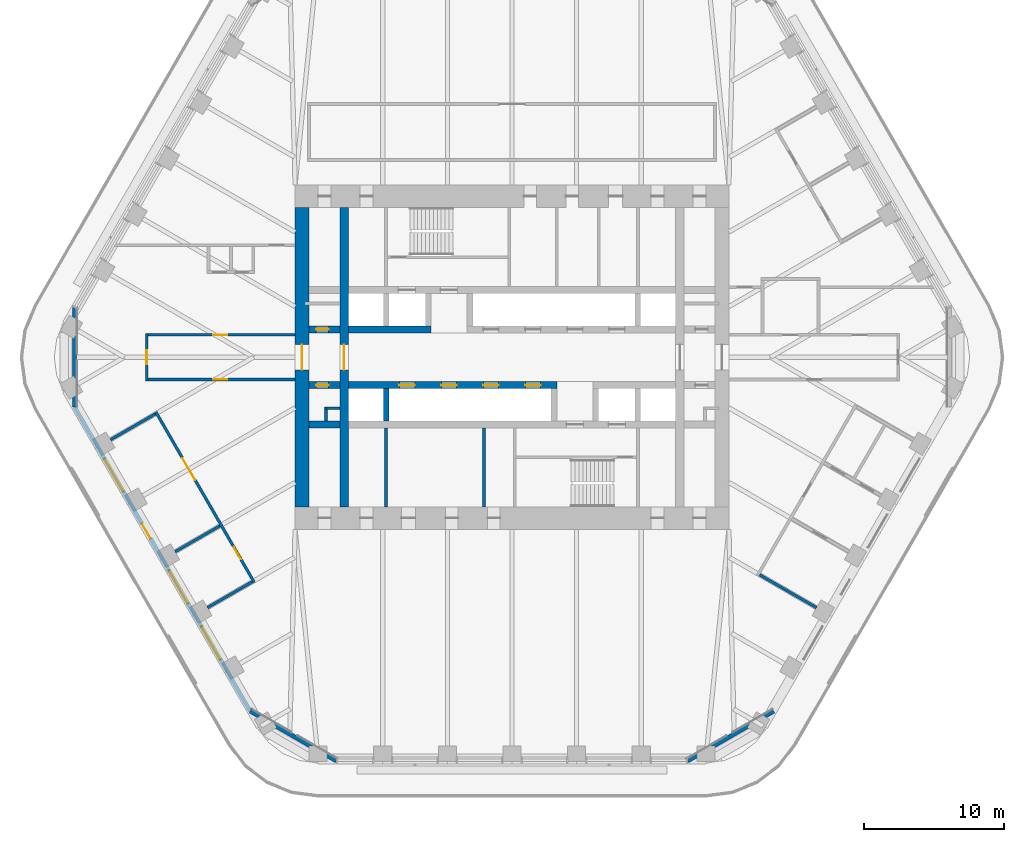
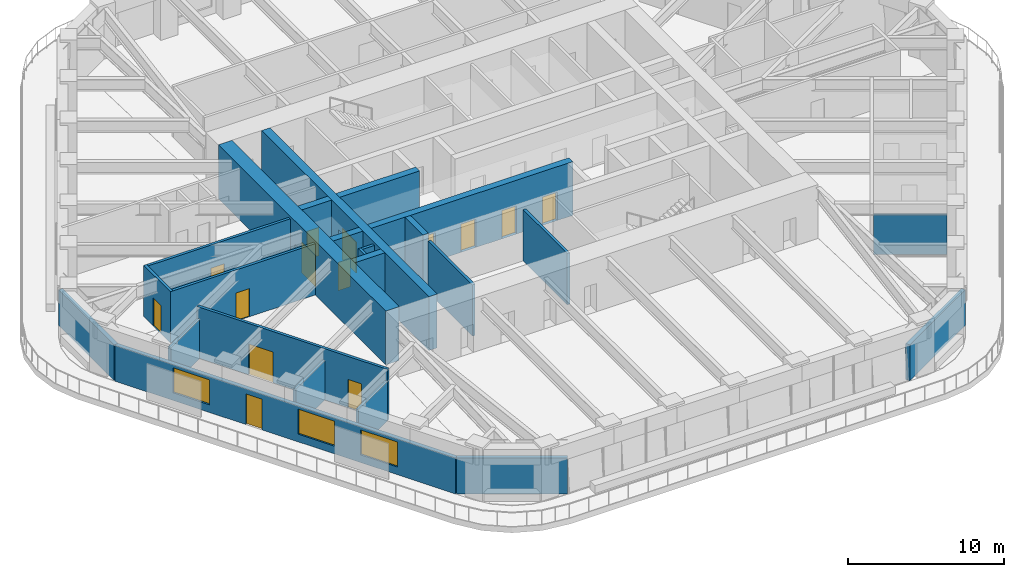
# One storey, part 14 of 20: 24 walls, 14 doors, 3 windows, 17 openings.
"""IFC4 building model written with IfcOpenShell, lengths in metres."""

from ifc_helpers import new_model, si_unit, direction, frame, frame_2d, origin, place, context, subcontext, project, spatial, rectangle, extrude, material, layer, layer_set, type_object, element, fill, save


model = new_model("IFC4")

# Units and contexts
model_context = context("Model", 3, precision=1e-05, world=origin(), true_north=direction((0.0, 1.0)))
body_context = subcontext(model_context, "Body", "Model", "MODEL_VIEW")
ifc_project = project(units=[si_unit("LENGTHUNIT", "METRE"), si_unit("AREAUNIT", "SQUARE_METRE"), si_unit("VOLUMEUNIT", "CUBIC_METRE"), si_unit("PLANEANGLEUNIT", "RADIAN"), si_unit("MASSUNIT", "GRAM", prefix="KILO")], contexts=[model_context])

# Site, building, storey
site_placement = place(None, origin())
site = spatial("IfcSite", under=ifc_project, at=site_placement, CompositionType="ELEMENT")
building_placement = place(site_placement, origin())
building = spatial("IfcBuilding", under=site, at=building_placement, Name="Tarfa Lantern Tower", CompositionType="ELEMENT")
storey_placement = place(building_placement, frame((0.0, 0.0, 253.300048828125)))
storey = spatial("IfcBuildingStorey", under=building, at=storey_placement, Name="L57", CompositionType="ELEMENT", Elevation=253.300048828125)

# Walls
ifc_material_1 = material(Name="Limestone cladding on blockwork", Category="masonry")
ifc_layer_1 = layer(ifc_material_1, 0.300048828125)
ifc_layer_set_1 = layer_set([ifc_layer_1], Name="EW1 STONE-CLAD WALL 300")
wall_type_1 = type_object("IfcWallType", Name="EW1 STONE-CLAD WALL 300", PredefinedType="SOLIDWALL", material=ifc_layer_set_1)
wall_1_placement = place(storey_placement, frame((-31.262939453125, 3.55078125, 0.0), z_axis=(0.0, 0.0, 1.0), x_axis=(0.0, -1.0, 0.0)))
element("IfcWall", 1, at=wall_1_placement, inside=storey, type_object=wall_type_1, Name="Garden wall NW-SW", PredefinedType="SOLIDWALL", context=body_context, shape_type="SweptSolid", body=[
    extrude(rectangle(XDim=7.1015625, YDim=0.300048828125, at=frame_2d((3.55078125, 0.0))), origin(), (0.0, 0.0, 1.0), 2.800048828125),
])
for number, where, z_axis, x_axis, name in (
    (2, (-18.70654296875, -25.299072265625, 0.0), (0.0, 0.0, 1.0), (0.866010973379, -0.500024993363, 0.0), "Garden wall SW-S"),
    (3, (12.556396484375, -28.85009765625, 0.0), (0.0, 0.0, 1.0), (0.866010973379, 0.500024993363, 0.0), "Garden wall S-SE"),
):
    element("IfcWall", number, at=place(storey_placement, frame(where, z_axis=z_axis, x_axis=x_axis)), inside=storey, type_object=wall_type_1, Name=name, PredefinedType="SOLIDWALL", context=body_context, shape_type="SweptSolid", body=[
        extrude(rectangle(XDim=7.101806640625, YDim=0.300048828125, at=frame_2d((3.55078125, 0.0))), origin(), (0.0, 0.0, 1.0), 2.800048828125),
    ])

# Wall, openings, door, windows
wall_2_placement = place(storey_placement, frame((-31.262939453125, -3.55078125, 0.0), z_axis=(0.0, 0.0, 1.0), x_axis=(0.500000442367, -0.866025148383, 0.0)))
wall_2 = element("IfcWall", 4, at=wall_2_placement, inside=storey, type_object=wall_type_1, Name="Stone wall SW", PredefinedType="SOLIDWALL", context=body_context, shape_type="SweptSolid", body=[
    extrude(rectangle(XDim=25.11279296875, YDim=0.300048828125, at=frame_2d((12.556396484375, 0.0))), origin(), (0.0, 0.0, 1.0), 2.800048828125),
])
opening_1_placement = place(wall_2_placement, frame((4.2783203125, 0.0, 0.60009765625)))
opening_1 = element("IfcOpeningElement", 5, at=opening_1_placement, cuts=wall_2, Name="Opening W14", PredefinedType="OPENING", context=body_context, shape_type="SweptSolid", body=[
    extrude(rectangle(XDim=2.699951171875, YDim=1.949951171875, at=frame_2d((1.35009765625, 0.97509765625))), frame((0.0, 0.159912109375, 0.0), z_axis=(0.0, -1.0, 0.0), x_axis=(1.0, 0.0, 0.0)), (0.0, 0.0, 1.0), 0.320068359375),
])
opening_2_placement = place(wall_2_placement, frame((9.64697265625, 0.0, 0.0)))
opening_2 = element("IfcOpeningElement", 6, at=opening_2_placement, cuts=wall_2, Name="Opening D49", PredefinedType="OPENING", context=body_context, shape_type="SweptSolid", body=[
    extrude(rectangle(XDim=1.199951171875, YDim=2.39990234375, at=frame_2d((0.60009765625, 1.199951171875))), frame((0.0, 0.159912109375, 0.0), z_axis=(0.0, -1.0, 0.0), x_axis=(1.0, 0.0, 0.0)), (0.0, 0.0, 1.0), 0.320068359375),
])
opening_3_placement = place(wall_2_placement, frame((13.515869140625, 0.0, 0.60009765625)))
opening_3 = element("IfcOpeningElement", 7, at=opening_3_placement, cuts=wall_2, Name="Opening W14", PredefinedType="OPENING", context=body_context, shape_type="SweptSolid", body=[
    extrude(rectangle(XDim=2.699951171875, YDim=1.949951171875, at=frame_2d((1.35009765625, 0.97509765625))), frame((0.0, 0.159912109375, 0.0), z_axis=(0.0, -1.0, 0.0), x_axis=(1.0, 0.0, 0.0)), (0.0, 0.0, 1.0), 0.320068359375),
])
opening_4_placement = place(wall_2_placement, frame((18.134521484375, 0.0, 0.60009765625)))
opening_4 = element("IfcOpeningElement", 8, at=opening_4_placement, cuts=wall_2, Name="Opening W14", PredefinedType="OPENING", context=body_context, shape_type="SweptSolid", body=[
    extrude(rectangle(XDim=2.699951171875, YDim=1.949951171875, at=frame_2d((1.35009765625, 0.97509765625))), frame((0.0, 0.159912109375, 0.0), z_axis=(0.0, -1.0, 0.0), x_axis=(1.0, 0.0, 0.0)), (0.0, 0.0, 1.0), 0.320068359375),
])
ifc_material_2 = material(Name="Aluminium framed glazed door", Category="aluminium")
door_type_1 = type_object("IfcDoorType", Name="BE3 BALCONY DOOR 1200x2400", OperationType="SINGLE_SWING_RIGHT", PredefinedType="DOOR", material=ifc_material_2)
door_1_placement = place(opening_2_placement, origin())
door_1 = element("IfcDoor", 9, at=door_1_placement, inside=storey, type_object=door_type_1, Name="Balcony door SW", OperationType="SINGLE_SWING_RIGHT", OverallHeight=2.39990234375, OverallWidth=1.199951171875, PredefinedType="DOOR", context=body_context, shape_type="SweptSolid", body=[
    extrude(rectangle(XDim=1.199951171875, YDim=2.39990234375, at=frame_2d((0.60009765625, 1.199951171875))), frame((0.0, 0.02490234375, 0.0), z_axis=(0.0, -1.0, 0.0), x_axis=(1.0, 0.0, 0.0)), (0.0, 0.0, 1.0), 0.050048828125),
])
fill(opening_2, door_1)
ifc_material_3 = material(Name="Aluminium frame, double glazed", Category="aluminium")
window_type = type_object("IfcWindowType", Name="W14 FULL-HEIGHT GLAZING 2700x1950", PartitioningType="SINGLE_PANEL", PredefinedType="WINDOW", material=ifc_material_3)
window_1_placement = place(opening_1_placement, origin())
window_1 = element("IfcWindow", 10, at=window_1_placement, inside=storey, type_object=window_type, Name="Window SW 2", OverallHeight=1.949951171875, OverallWidth=2.699951171875, PartitioningType="SINGLE_PANEL", PredefinedType="WINDOW", context=body_context, shape_type="SweptSolid", body=[
    extrude(rectangle(XDim=2.699951171875, YDim=1.949951171875, at=frame_2d((1.35009765625, 0.97509765625))), frame((0.0, 0.030029296875, 0.0), z_axis=(0.0, -1.0, 0.0), x_axis=(1.0, 0.0, 0.0)), (0.0, 0.0, 1.0), 0.06005859375),
])
fill(opening_1, window_1)
window_2_placement = place(opening_3_placement, origin())
window_2 = element("IfcWindow", 11, at=window_2_placement, inside=storey, type_object=window_type, Name="Window SW 4", OverallHeight=1.949951171875, OverallWidth=2.699951171875, PartitioningType="SINGLE_PANEL", PredefinedType="WINDOW", context=body_context, shape_type="SweptSolid", body=[
    extrude(rectangle(XDim=2.699951171875, YDim=1.949951171875, at=frame_2d((1.35009765625, 0.97509765625))), frame((0.0, 0.030029296875, 0.0), z_axis=(0.0, -1.0, 0.0), x_axis=(1.0, 0.0, 0.0)), (0.0, 0.0, 1.0), 0.06005859375),
])
fill(opening_3, window_2)
window_3_placement = place(opening_4_placement, origin())
window_3 = element("IfcWindow", 12, at=window_3_placement, inside=storey, type_object=window_type, Name="Window SW 5", OverallHeight=1.949951171875, OverallWidth=2.699951171875, PartitioningType="SINGLE_PANEL", PredefinedType="WINDOW", context=body_context, shape_type="SweptSolid", body=[
    extrude(rectangle(XDim=2.699951171875, YDim=1.949951171875, at=frame_2d((1.35009765625, 0.97509765625))), frame((0.0, 0.030029296875, 0.0), z_axis=(0.0, -1.0, 0.0), x_axis=(1.0, 0.0, 0.0)), (0.0, 0.0, 1.0), 0.06005859375),
])
fill(opening_4, window_3)

# Walls
ifc_material_4 = material(Name="Concrete blockwork", Category="masonry")
ifc_layer_2 = layer(ifc_material_4, 0.199951171875)
ifc_layer_set_2 = layer_set([ifc_layer_2], Name="IW1 BLOCKWORK PARTITION 200 EI 120")
wall_type_2 = type_object("IfcWallType", Name="IW1 BLOCKWORK PARTITION 200 EI 120", PredefinedType="PARTITIONING", material=ifc_layer_set_2)
for number, where, z_axis, x_axis, name in (
    (13, (-9.0, -5.050048828125, 0.0), (0.0, 0.0, 1.0), (0.0, -1.0, 0.0), "Core partition"),
    (14, (-2.0, -5.050048828125, 0.0), (0.0, 0.0, 1.0), (0.0, -1.0, 0.0), "Core partition"),
):
    element("IfcWall", number, at=place(storey_placement, frame(where, z_axis=z_axis, x_axis=x_axis)), inside=storey, type_object=wall_type_2, Name=name, PredefinedType="PARTITIONING", context=body_context, shape_type="SweptSolid", body=[
        extrude(rectangle(XDim=5.64990234375, YDim=0.199951171875, at=frame_2d((2.824951171875, 0.0))), origin(), (0.0, 0.0, 1.0), 4.0),
    ])
for number, where, z_axis, x_axis, name in (
    (15, (-12.300048828125, -3.64990234375, 0.0), (0.0, 0.0, 1.0), (-1.0, 0.0, 0.0), "Core partition"),
    (16, (-13.300048828125, -3.550048828125, 0.0), (0.0, 0.0, 1.0), (0.0, -1.0, 0.0), "Core partition"),
):
    element("IfcWall", number, at=place(storey_placement, frame(where, z_axis=z_axis, x_axis=x_axis)), inside=storey, type_object=wall_type_2, Name=name, PredefinedType="PARTITIONING", context=body_context, shape_type="SweptSolid", body=[
        extrude(rectangle(XDim=1.0, YDim=0.199951171875, at=frame_2d((0.5, 0.0))), origin(), (0.0, 0.0, 1.0), 4.0),
    ])
ifc_material_5 = material(Name="Gypsum board on steel studs", Category="steel")
ifc_layer_3 = layer(ifc_material_5, 0.2099609375)
ifc_layer_set_3 = layer_set([ifc_layer_3], Name="IW2 ACOUSTIC PARTITION 200")
wall_type_3 = type_object("IfcWallType", Name="IW2 ACOUSTIC PARTITION 200", PredefinedType="PARTITIONING", material=ifc_layer_set_3)
wall_3_placement = place(storey_placement, frame((17.69580078125, -15.550048828125, 0.0), z_axis=(0.0, 0.0, 1.0), x_axis=(0.866038532462, -0.499977259774, 0.0)))
element("IfcWall", 17, at=wall_3_placement, inside=storey, type_object=wall_type_3, Name="Partition", PredefinedType="PARTITIONING", context=body_context, shape_type="SweptSolid", body=[
    extrude(rectangle(XDim=4.699951171875, YDim=0.199951171875, at=frame_2d((2.35009765625, 0.0))), origin(), (0.0, 0.0, 1.0), 3.08154296875),
])

# Wall, openings, doors
wall_4_placement = place(storey_placement, frame((-25.453369140625, -3.913330078125, 0.0), z_axis=(0.0, 0.0, 1.0), x_axis=(0.499989069193, -0.866031714597, 0.0)))
wall_4 = element("IfcWall", 18, at=wall_4_placement, inside=storey, type_object=wall_type_3, Name="Partition", PredefinedType="PARTITIONING", context=body_context, shape_type="SweptSolid", body=[
    extrude(rectangle(XDim=14.056396484375, YDim=0.199951171875, at=frame_2d((7.0283203125, 0.0))), origin(), (0.0, 0.0, 1.0), 4.0),
])
opening_5_placement = place(wall_4_placement, frame((3.81884765625, 0.0, 0.0)))
opening_5 = element("IfcOpeningElement", 19, at=opening_5_placement, cuts=wall_4, Name="Opening D34", PredefinedType="OPENING", context=body_context, shape_type="SweptSolid", body=[
    extrude(rectangle(XDim=1.800048828125, YDim=2.39990234375, at=frame_2d((0.89990234375, 1.199951171875))), frame((0.0, 0.10986328125, 0.0), z_axis=(0.0, -1.0, 0.0), x_axis=(1.0, 0.0, 0.0)), (0.0, 0.0, 1.0), 0.219970703125),
])
opening_6_placement = place(wall_4_placement, frame((11.14697265625, 0.0, 0.0)))
opening_6 = element("IfcOpeningElement", 20, at=opening_6_placement, cuts=wall_4, Name="Opening D35", PredefinedType="OPENING", context=body_context, shape_type="SweptSolid", body=[
    extrude(rectangle(XDim=1.0, YDim=2.199951171875, at=frame_2d((0.5, 1.10009765625))), frame((0.0, 0.10986328125, 0.0), z_axis=(0.0, -1.0, 0.0), x_axis=(1.0, 0.0, 0.0)), (0.0, 0.0, 1.0), 0.219970703125),
])
ifc_material_6 = material(Name="Timber door", Category="wood")
door_type_2 = type_object("IfcDoorType", Name="DR1 ROOM DOOR 1000x2200", OperationType="SINGLE_SWING_LEFT", PredefinedType="DOOR", material=ifc_material_6)
door_2_placement = place(opening_6_placement, frame((1.0, 0.0, 0.0), z_axis=(0.0, 0.0, 1.0), x_axis=(-1.0, 0.0, 0.0)))
door_2 = element("IfcDoor", 21, at=door_2_placement, inside=storey, type_object=door_type_2, Name="Store door", OperationType="SINGLE_SWING_RIGHT", OverallHeight=2.199951171875, OverallWidth=1.0, PredefinedType="DOOR", context=body_context, shape_type="SweptSolid", body=[
    extrude(rectangle(XDim=1.0, YDim=2.199951171875, at=frame_2d((0.5, 1.10009765625))), frame((0.0, 0.02490234375, 0.0), z_axis=(0.0, -1.0, 0.0), x_axis=(1.0, 0.0, 0.0)), (0.0, 0.0, 1.0), 0.050048828125),
])
fill(opening_6, door_2)
door_type_3 = type_object("IfcDoorType", Name="DR2 ROOM DOOR 1800x2400", OperationType="DOUBLE_DOOR_SINGLE_SWING", PredefinedType="DOOR", material=ifc_material_6)
door_3_placement = place(opening_5_placement, frame((1.800048828125, 0.0, 0.0), z_axis=(0.0, 0.0, 1.0), x_axis=(-1.0, 0.0, 0.0)))
door_3 = element("IfcDoor", 22, at=door_3_placement, inside=storey, type_object=door_type_3, Name="File room door", OperationType="DOUBLE_DOOR_SINGLE_SWING", OverallHeight=2.39990234375, OverallWidth=1.800048828125, PredefinedType="DOOR", context=body_context, shape_type="SweptSolid", body=[
    extrude(rectangle(XDim=1.800048828125, YDim=2.39990234375, at=frame_2d((0.89990234375, 1.199951171875))), frame((0.0, 0.02490234375, 0.0), z_axis=(0.0, -1.0, 0.0), x_axis=(1.0, 0.0, 0.0)), (0.0, 0.0, 1.0), 0.050048828125),
])
fill(opening_5, door_3)

# Walls
for number, where, z_axis, x_axis, name in (
    (23, (-25.489990234375, -4.050048828125, 0.0), (0.0, 0.0, 1.0), (-0.866046040199, -0.499964254978, 0.0), "Partition"),
    (24, (-20.87109375, -12.050048828125, 0.0), (0.0, 0.0, 1.0), (-0.866046040199, -0.499964254978, 0.0), "Partition"),
    (25, (-18.561767578125, -16.050048828125, 0.0), (0.0, 0.0, 1.0), (-0.866046040199, -0.499964254978, 0.0), "Partition"),
):
    element("IfcWall", number, at=place(storey_placement, frame(where, z_axis=z_axis, x_axis=x_axis)), inside=storey, type_object=wall_type_3, Name=name, PredefinedType="PARTITIONING", context=body_context, shape_type="SweptSolid", body=[
        extrude(rectangle(XDim=3.699951171875, YDim=0.199951171875, at=frame_2d((1.85009765625, 0.0))), origin(), (0.0, 0.0, 1.0), 3.08154296875),
    ])

# Wall, opening, door
wall_5_placement = place(storey_placement, frame((-15.5, 1.60009765625, 0.0), z_axis=(0.0, 0.0, 1.0), x_axis=(-1.0, 0.0, 0.0)))
wall_5 = element("IfcWall", 26, at=wall_5_placement, inside=storey, type_object=wall_type_3, Name="Partition", PredefinedType="PARTITIONING", context=body_context, shape_type="SweptSolid", body=[
    extrude(rectangle(XDim=10.699951171875, YDim=0.199951171875, at=frame_2d((5.35009765625, 0.0))), origin(), (0.0, 0.0, 1.0), 4.0),
])
opening_7_placement = place(wall_5_placement, frame((4.85009765625, 0.0, 0.0)))
opening_7 = element("IfcOpeningElement", 27, at=opening_7_placement, cuts=wall_5, Name="Opening D43", PredefinedType="OPENING", context=body_context, shape_type="SweptSolid", body=[
    extrude(rectangle(XDim=1.0, YDim=2.199951171875, at=frame_2d((0.5, 1.10009765625))), frame((0.0, 0.10986328125, 0.0), z_axis=(0.0, -1.0, 0.0), x_axis=(1.0, 0.0, 0.0)), (0.0, 0.0, 1.0), 0.219970703125),
])
door_4_placement = place(opening_7_placement, frame((1.0, 0.0, 0.0), z_axis=(0.0, 0.0, 1.0), x_axis=(-1.0, 0.0, 0.0)))
door_4 = element("IfcDoor", 28, at=door_4_placement, inside=storey, type_object=door_type_2, Name="Corridor door", OperationType="SINGLE_SWING_LEFT", OverallHeight=2.199951171875, OverallWidth=1.0, PredefinedType="DOOR", context=body_context, shape_type="SweptSolid", body=[
    extrude(rectangle(XDim=1.0, YDim=2.199951171875, at=frame_2d((0.5, 1.10009765625))), frame((0.0, 0.02490234375, 0.0), z_axis=(0.0, -1.0, 0.0), x_axis=(1.0, 0.0, 0.0)), (0.0, 0.0, 1.0), 0.050048828125),
])
fill(opening_7, door_4)

wall_6_placement = place(storey_placement, frame((-15.5, -1.60009765625, 0.0), z_axis=(0.0, 0.0, 1.0), x_axis=(-1.0, 0.0, 0.0)))
wall_6 = element("IfcWall", 29, at=wall_6_placement, inside=storey, type_object=wall_type_3, Name="Partition", PredefinedType="PARTITIONING", context=body_context, shape_type="SweptSolid", body=[
    extrude(rectangle(XDim=10.699951171875, YDim=0.199951171875, at=frame_2d((5.35009765625, 0.0))), origin(), (0.0, 0.0, 1.0), 4.0),
])
opening_8_placement = place(wall_6_placement, frame((4.85009765625, 0.0, 0.0)))
opening_8 = element("IfcOpeningElement", 30, at=opening_8_placement, cuts=wall_6, Name="Opening D44", PredefinedType="OPENING", context=body_context, shape_type="SweptSolid", body=[
    extrude(rectangle(XDim=1.0, YDim=2.199951171875, at=frame_2d((0.5, 1.10009765625))), frame((0.0, 0.10986328125, 0.0), z_axis=(0.0, -1.0, 0.0), x_axis=(1.0, 0.0, 0.0)), (0.0, 0.0, 1.0), 0.219970703125),
])
door_5_placement = place(opening_8_placement, origin())
door_5 = element("IfcDoor", 31, at=door_5_placement, inside=storey, type_object=door_type_2, Name="Corridor door", OperationType="SINGLE_SWING_RIGHT", OverallHeight=2.199951171875, OverallWidth=1.0, PredefinedType="DOOR", context=body_context, shape_type="SweptSolid", body=[
    extrude(rectangle(XDim=1.0, YDim=2.199951171875, at=frame_2d((0.5, 1.10009765625))), frame((0.0, 0.02490234375, 0.0), z_axis=(0.0, -1.0, 0.0), x_axis=(1.0, 0.0, 0.0)), (0.0, 0.0, 1.0), 0.050048828125),
])
fill(opening_8, door_5)

wall_7_placement = place(storey_placement, frame((-26.10009765625, -1.699951171875, 0.0), z_axis=(0.0, 0.0, 1.0), x_axis=(0.0, 1.0, 0.0)))
wall_7 = element("IfcWall", 32, at=wall_7_placement, inside=storey, type_object=wall_type_3, Name="Partition", PredefinedType="PARTITIONING", context=body_context, shape_type="SweptSolid", body=[
    extrude(rectangle(XDim=3.39990234375, YDim=0.199951171875, at=frame_2d((1.699951171875, 0.0))), origin(), (0.0, 0.0, 1.0), 4.0),
])
opening_9_placement = place(wall_7_placement, frame((1.199951171875, 0.0, 0.0)))
opening_9 = element("IfcOpeningElement", 33, at=opening_9_placement, cuts=wall_7, Name="Opening D42", PredefinedType="OPENING", context=body_context, shape_type="SweptSolid", body=[
    extrude(rectangle(XDim=1.0, YDim=2.199951171875, at=frame_2d((0.5, 1.10009765625))), frame((0.0, 0.10986328125, 0.0), z_axis=(0.0, -1.0, 0.0), x_axis=(1.0, 0.0, 0.0)), (0.0, 0.0, 1.0), 0.219970703125),
])
door_6_placement = place(opening_9_placement, origin())
door_6 = element("IfcDoor", 34, at=door_6_placement, inside=storey, type_object=door_type_2, Name="Corridor door", OperationType="SINGLE_SWING_RIGHT", OverallHeight=2.199951171875, OverallWidth=1.0, PredefinedType="DOOR", context=body_context, shape_type="SweptSolid", body=[
    extrude(rectangle(XDim=1.0, YDim=2.199951171875, at=frame_2d((0.5, 1.10009765625))), frame((0.0, 0.02490234375, 0.0), z_axis=(0.0, -1.0, 0.0), x_axis=(1.0, 0.0, 0.0)), (0.0, 0.0, 1.0), 0.050048828125),
])
fill(opening_9, door_6)

ifc_material_7 = material(Name="Concrete C80/95", Category="concrete")
ifc_layer_4 = layer(ifc_material_7, 1.0)
ifc_layer_set_4 = layer_set([ifc_layer_4], Name="SW2 CORE WALL 1000")
wall_type_4 = type_object("IfcWallType", Name="SW2 CORE WALL 1000", PredefinedType="SHEAR", material=ifc_layer_set_4)
wall_8_placement = place(storey_placement, frame((-15.0, 10.699951171875, 0.0), z_axis=(0.0, 0.0, 1.0), x_axis=(0.0, -1.0, 0.0)))
wall_8 = element("IfcWall", 35, at=wall_8_placement, inside=storey, type_object=wall_type_4, Name="Core wall W", PredefinedType="SHEAR", context=body_context, shape_type="SweptSolid", body=[
    extrude(rectangle(XDim=21.39990234375, YDim=1.0, at=frame_2d((10.699951171875, 0.0))), origin(), (0.0, 0.0, 1.0), 4.199951171875),
])
opening_10_placement = place(wall_8_placement, frame((9.800048828125, 0.0, 0.0)))
opening_10 = element("IfcOpeningElement", 36, at=opening_10_placement, cuts=wall_8, Name="Opening D12", PredefinedType="OPENING", context=body_context, shape_type="SweptSolid", body=[
    extrude(rectangle(XDim=1.800048828125, YDim=2.39990234375, at=frame_2d((0.89990234375, 1.199951171875))), frame((0.0, 0.510009765625, 0.0), z_axis=(0.0, -1.0, 0.0), x_axis=(1.0, 0.0, 0.0)), (0.0, 0.0, 1.0), 1.02001953125),
])
ifc_material_8 = material(Name="Steel fire door", Category="steel")
door_type_4 = type_object("IfcDoorType", Name="DL1 LOBBY DOOR 1800x2400", OperationType="DOUBLE_DOOR_SINGLE_SWING", PredefinedType="DOOR", material=ifc_material_8)
door_7_placement = place(opening_10_placement, frame((1.800048828125, 0.0, 0.0), z_axis=(0.0, 0.0, 1.0), x_axis=(-1.0, 0.0, 0.0)))
door_7 = element("IfcDoor", 37, at=door_7_placement, inside=storey, type_object=door_type_4, Name="Lift lobby door", OperationType="DOUBLE_DOOR_SINGLE_SWING", OverallHeight=2.39990234375, OverallWidth=1.800048828125, PredefinedType="DOOR", context=body_context, shape_type="SweptSolid", body=[
    extrude(rectangle(XDim=1.800048828125, YDim=2.39990234375, at=frame_2d((0.89990234375, 1.199951171875))), frame((0.0, 0.02490234375, 0.0), z_axis=(0.0, -1.0, 0.0), x_axis=(1.0, 0.0, 0.0)), (0.0, 0.0, 1.0), 0.050048828125),
])
fill(opening_10, door_7)

ifc_layer_5 = layer(ifc_material_7, 0.5)
ifc_layer_set_5 = layer_set([ifc_layer_5], Name="SW5 CORE WALL 500")
wall_type_5 = type_object("IfcWallType", Name="SW5 CORE WALL 500", PredefinedType="SHEAR", material=ifc_layer_set_5)
wall_9_placement = place(storey_placement, frame((-14.5, 2.0, 0.0), z_axis=(0.0, 0.0, 1.0), x_axis=(1.0, 0.0, 0.0)))
wall_9 = element("IfcWall", 38, at=wall_9_placement, inside=storey, type_object=wall_type_5, Name="Core wall lobby west N", PredefinedType="SHEAR", context=body_context, shape_type="SweptSolid", body=[
    extrude(rectangle(XDim=2.199951171875, YDim=0.5, at=frame_2d((1.10009765625, 0.0))), origin(), (0.0, 0.0, 1.0), 4.199951171875),
])
opening_11_placement = place(wall_9_placement, frame((0.5, 0.0, 0.0)))
opening_11 = element("IfcOpeningElement", 39, at=opening_11_placement, cuts=wall_9, Name="Opening D15", PredefinedType="OPENING", context=body_context, shape_type="SweptSolid", body=[
    extrude(rectangle(XDim=0.89990234375, YDim=2.199951171875, at=frame_2d((0.449951171875, 1.10009765625))), frame((0.0, 0.260009765625, 0.0), z_axis=(0.0, -1.0, 0.0), x_axis=(1.0, 0.0, 0.0)), (0.0, 0.0, 1.0), 0.52001953125),
])
door_type_5 = type_object("IfcDoorType", Name="DF6 SERVICE ROOM DOOR 900x2200", OperationType="SINGLE_SWING_LEFT", PredefinedType="DOOR", material=ifc_material_8)
door_8_placement = place(opening_11_placement, origin())
door_8 = element("IfcDoor", 40, at=door_8_placement, inside=storey, type_object=door_type_5, Name="Service room door", OperationType="SINGLE_SWING_RIGHT", OverallHeight=2.199951171875, OverallWidth=0.89990234375, PredefinedType="DOOR", context=body_context, shape_type="SweptSolid", body=[
    extrude(rectangle(XDim=0.89990234375, YDim=2.199951171875, at=frame_2d((0.449951171875, 1.10009765625))), frame((0.0, 0.02490234375, 0.0), z_axis=(0.0, -1.0, 0.0), x_axis=(1.0, 0.0, 0.0)), (0.0, 0.0, 1.0), 0.050048828125),
])
fill(opening_11, door_8)

# Wall
wall_10_placement = place(storey_placement, frame((-11.699951171875, 2.0, 0.0), z_axis=(0.0, 0.0, 1.0), x_axis=(1.0, 0.0, 0.0)))
element("IfcWall", 41, at=wall_10_placement, inside=storey, type_object=wall_type_5, Name="Core wall lobby west N", PredefinedType="SHEAR", context=body_context, shape_type="SweptSolid", body=[
    extrude(rectangle(XDim=5.89990234375, YDim=0.5, at=frame_2d((2.949951171875, 0.0))), origin(), (0.0, 0.0, 1.0), 4.199951171875),
])

# Wall, openings, doors
wall_11_placement = place(storey_placement, frame((3.199951171875, -2.0, 0.0), z_axis=(0.0, 0.0, 1.0), x_axis=(-1.0, 0.0, 0.0)))
wall_11 = element("IfcWall", 42, at=wall_11_placement, inside=storey, type_object=wall_type_5, Name="Core wall lobby east S", PredefinedType="SHEAR", context=body_context, shape_type="SweptSolid", body=[
    extrude(rectangle(XDim=14.89990234375, YDim=0.5, at=frame_2d((7.449951171875, 0.0))), origin(), (0.0, 0.0, 1.0), 4.199951171875),
])
opening_12_placement = place(wall_11_placement, frame((1.14990234375, 0.0, 0.0)))
opening_12 = element("IfcOpeningElement", 43, at=opening_12_placement, cuts=wall_11, Name="Opening LD07", PredefinedType="OPENING", context=body_context, shape_type="SweptSolid", body=[
    extrude(rectangle(XDim=1.10009765625, YDim=2.199951171875, at=frame_2d((0.550048828125, 1.10009765625))), frame((0.0, 0.260009765625, 0.0), z_axis=(0.0, -1.0, 0.0), x_axis=(1.0, 0.0, 0.0)), (0.0, 0.0, 1.0), 0.52001953125),
])
opening_13_placement = place(wall_11_placement, frame((4.14990234375, 0.0, 0.0)))
opening_13 = element("IfcOpeningElement", 44, at=opening_13_placement, cuts=wall_11, Name="Opening LD08", PredefinedType="OPENING", context=body_context, shape_type="SweptSolid", body=[
    extrude(rectangle(XDim=1.10009765625, YDim=2.199951171875, at=frame_2d((0.550048828125, 1.10009765625))), frame((0.0, 0.260009765625, 0.0), z_axis=(0.0, -1.0, 0.0), x_axis=(1.0, 0.0, 0.0)), (0.0, 0.0, 1.0), 0.52001953125),
])
opening_14_placement = place(wall_11_placement, frame((7.14990234375, 0.0, 0.0)))
opening_14 = element("IfcOpeningElement", 45, at=opening_14_placement, cuts=wall_11, Name="Opening LD09", PredefinedType="OPENING", context=body_context, shape_type="SweptSolid", body=[
    extrude(rectangle(XDim=1.10009765625, YDim=2.199951171875, at=frame_2d((0.550048828125, 1.10009765625))), frame((0.0, 0.260009765625, 0.0), z_axis=(0.0, -1.0, 0.0), x_axis=(1.0, 0.0, 0.0)), (0.0, 0.0, 1.0), 0.52001953125),
])
opening_15_placement = place(wall_11_placement, frame((10.14990234375, 0.0, 0.0)))
opening_15 = element("IfcOpeningElement", 46, at=opening_15_placement, cuts=wall_11, Name="Opening LD10", PredefinedType="OPENING", context=body_context, shape_type="SweptSolid", body=[
    extrude(rectangle(XDim=1.10009765625, YDim=2.199951171875, at=frame_2d((0.550048828125, 1.10009765625))), frame((0.0, 0.260009765625, 0.0), z_axis=(0.0, -1.0, 0.0), x_axis=(1.0, 0.0, 0.0)), (0.0, 0.0, 1.0), 0.52001953125),
])
ifc_material_9 = material(Name="Stainless steel lift door", Category="steel")
door_type_6 = type_object("IfcDoorType", Name="LD2 LIFT LANDING DOOR 1100x2200", OperationType="SLIDING_TO_LEFT", PredefinedType="DOOR", material=ifc_material_9)
door_9_placement = place(opening_12_placement, frame((1.10009765625, 0.0, 0.0), z_axis=(0.0, 0.0, 1.0), x_axis=(-1.0, 0.0, 0.0)))
door_9 = element("IfcDoor", 47, at=door_9_placement, inside=storey, type_object=door_type_6, Name="Landing door PC5", OperationType="SLIDING_TO_LEFT", OverallHeight=2.199951171875, OverallWidth=1.10009765625, PredefinedType="DOOR", context=body_context, shape_type="SweptSolid", body=[
    extrude(rectangle(XDim=1.10009765625, YDim=2.199951171875, at=frame_2d((0.550048828125, 1.10009765625))), frame((0.0, 0.02490234375, 0.0), z_axis=(0.0, -1.0, 0.0), x_axis=(1.0, 0.0, 0.0)), (0.0, 0.0, 1.0), 0.050048828125),
])
fill(opening_12, door_9)
door_10_placement = place(opening_13_placement, frame((1.10009765625, 0.0, 0.0), z_axis=(0.0, 0.0, 1.0), x_axis=(-1.0, 0.0, 0.0)))
door_10 = element("IfcDoor", 48, at=door_10_placement, inside=storey, type_object=door_type_6, Name="Landing door PC6", OperationType="SLIDING_TO_LEFT", OverallHeight=2.199951171875, OverallWidth=1.10009765625, PredefinedType="DOOR", context=body_context, shape_type="SweptSolid", body=[
    extrude(rectangle(XDim=1.10009765625, YDim=2.199951171875, at=frame_2d((0.550048828125, 1.10009765625))), frame((0.0, 0.02490234375, 0.0), z_axis=(0.0, -1.0, 0.0), x_axis=(1.0, 0.0, 0.0)), (0.0, 0.0, 1.0), 0.050048828125),
])
fill(opening_13, door_10)
door_11_placement = place(opening_14_placement, frame((1.10009765625, 0.0, 0.0), z_axis=(0.0, 0.0, 1.0), x_axis=(-1.0, 0.0, 0.0)))
door_11 = element("IfcDoor", 49, at=door_11_placement, inside=storey, type_object=door_type_6, Name="Landing door PC7", OperationType="SLIDING_TO_LEFT", OverallHeight=2.199951171875, OverallWidth=1.10009765625, PredefinedType="DOOR", context=body_context, shape_type="SweptSolid", body=[
    extrude(rectangle(XDim=1.10009765625, YDim=2.199951171875, at=frame_2d((0.550048828125, 1.10009765625))), frame((0.0, 0.02490234375, 0.0), z_axis=(0.0, -1.0, 0.0), x_axis=(1.0, 0.0, 0.0)), (0.0, 0.0, 1.0), 0.050048828125),
])
fill(opening_14, door_11)
door_12_placement = place(opening_15_placement, frame((1.10009765625, 0.0, 0.0), z_axis=(0.0, 0.0, 1.0), x_axis=(-1.0, 0.0, 0.0)))
door_12 = element("IfcDoor", 50, at=door_12_placement, inside=storey, type_object=door_type_6, Name="Landing door PC8", OperationType="SLIDING_TO_LEFT", OverallHeight=2.199951171875, OverallWidth=1.10009765625, PredefinedType="DOOR", context=body_context, shape_type="SweptSolid", body=[
    extrude(rectangle(XDim=1.10009765625, YDim=2.199951171875, at=frame_2d((0.550048828125, 1.10009765625))), frame((0.0, 0.02490234375, 0.0), z_axis=(0.0, -1.0, 0.0), x_axis=(1.0, 0.0, 0.0)), (0.0, 0.0, 1.0), 0.050048828125),
])
fill(opening_15, door_12)

# Wall, opening, door
wall_12_placement = place(storey_placement, frame((-12.300048828125, -2.0, 0.0), z_axis=(0.0, 0.0, 1.0), x_axis=(-1.0, 0.0, 0.0)))
wall_12 = element("IfcWall", 51, at=wall_12_placement, inside=storey, type_object=wall_type_5, Name="Core wall lobby east S", PredefinedType="SHEAR", context=body_context, shape_type="SweptSolid", body=[
    extrude(rectangle(XDim=2.199951171875, YDim=0.5, at=frame_2d((1.10009765625, 0.0))), origin(), (0.0, 0.0, 1.0), 4.199951171875),
])
opening_16_placement = place(wall_12_placement, frame((0.800048828125, 0.0, 0.0)))
opening_16 = element("IfcOpeningElement", 52, at=opening_16_placement, cuts=wall_12, Name="Opening D14", PredefinedType="OPENING", context=body_context, shape_type="SweptSolid", body=[
    extrude(rectangle(XDim=0.89990234375, YDim=2.199951171875, at=frame_2d((0.449951171875, 1.10009765625))), frame((0.0, 0.260009765625, 0.0), z_axis=(0.0, -1.0, 0.0), x_axis=(1.0, 0.0, 0.0)), (0.0, 0.0, 1.0), 0.52001953125),
])
door_13_placement = place(opening_16_placement, origin())
door_13 = element("IfcDoor", 53, at=door_13_placement, inside=storey, type_object=door_type_5, Name="Service room door", OperationType="SINGLE_SWING_LEFT", OverallHeight=2.199951171875, OverallWidth=0.89990234375, PredefinedType="DOOR", context=body_context, shape_type="SweptSolid", body=[
    extrude(rectangle(XDim=0.89990234375, YDim=2.199951171875, at=frame_2d((0.449951171875, 1.10009765625))), frame((0.0, 0.02490234375, 0.0), z_axis=(0.0, -1.0, 0.0), x_axis=(1.0, 0.0, 0.0)), (0.0, 0.0, 1.0), 0.050048828125),
])
fill(opening_16, door_13)

# Walls
wall_13_placement = place(storey_placement, frame((-12.300048828125, -4.800048828125, 0.0), z_axis=(0.0, 0.0, 1.0), x_axis=(-1.0, 0.0, 0.0)))
element("IfcWall", 54, at=wall_13_placement, inside=storey, type_object=wall_type_5, Name="Core wall rear S", PredefinedType="SHEAR", context=body_context, shape_type="SweptSolid", body=[
    extrude(rectangle(XDim=2.199951171875, YDim=0.5, at=frame_2d((1.10009765625, 0.0))), origin(), (0.0, 0.0, 1.0), 4.199951171875),
])
ifc_layer_6 = layer(ifc_material_7, 0.39990234375)
ifc_layer_set_6 = layer_set([ifc_layer_6], Name="SW6 CORE WALL 400")
wall_type_6 = type_object("IfcWallType", Name="SW6 CORE WALL 400", PredefinedType="SHEAR", material=ifc_layer_set_6)
wall_14_placement = place(storey_placement, frame((-9.0, -2.25, 0.0), z_axis=(0.0, 0.0, 1.0), x_axis=(0.0, -1.0, 0.0)))
element("IfcWall", 55, at=wall_14_placement, inside=storey, type_object=wall_type_6, Name="Core wall divider S", PredefinedType="SHEAR", context=body_context, shape_type="SweptSolid", body=[
    extrude(rectangle(XDim=2.300048828125, YDim=0.39990234375, at=frame_2d((1.14990234375, 0.0))), origin(), (0.0, 0.0, 1.0), 4.199951171875),
])

# Wall, opening, door
ifc_layer_7 = layer(ifc_material_7, 0.60009765625)
ifc_layer_set_7 = layer_set([ifc_layer_7], Name="SW9 CORE WALL 600")
wall_type_7 = type_object("IfcWallType", Name="SW9 CORE WALL 600", PredefinedType="SHEAR", material=ifc_layer_set_7)
wall_15_placement = place(storey_placement, frame((-12.0, -10.699951171875, 0.0), z_axis=(0.0, 0.0, 1.0), x_axis=(0.0, 1.0, 0.0)))
wall_15 = element("IfcWall", 56, at=wall_15_placement, inside=storey, type_object=wall_type_7, Name="Core wall cross 12 m west", PredefinedType="SHEAR", context=body_context, shape_type="SweptSolid", body=[
    extrude(rectangle(XDim=21.39990234375, YDim=0.60009765625, at=frame_2d((10.699951171875, 0.0))), origin(), (0.0, 0.0, 1.0), 4.199951171875),
])
opening_17_placement = place(wall_15_placement, frame((9.800048828125, 0.0, 0.0)))
opening_17 = element("IfcOpeningElement", 57, at=opening_17_placement, cuts=wall_15, Name="Opening D26", PredefinedType="OPENING", context=body_context, shape_type="SweptSolid", body=[
    extrude(rectangle(XDim=1.800048828125, YDim=2.39990234375, at=frame_2d((0.89990234375, 1.199951171875))), frame((0.0, 0.31005859375, 0.0), z_axis=(0.0, -1.0, 0.0), x_axis=(1.0, 0.0, 0.0)), (0.0, 0.0, 1.0), 0.6201171875),
])
door_14_placement = place(opening_17_placement, origin())
door_14 = element("IfcDoor", 58, at=door_14_placement, inside=storey, type_object=door_type_4, Name="Lift lobby door", OperationType="DOUBLE_DOOR_SINGLE_SWING", OverallHeight=2.39990234375, OverallWidth=1.800048828125, PredefinedType="DOOR", context=body_context, shape_type="SweptSolid", body=[
    extrude(rectangle(XDim=1.800048828125, YDim=2.39990234375, at=frame_2d((0.89990234375, 1.199951171875))), frame((0.0, 0.02490234375, 0.0), z_axis=(0.0, -1.0, 0.0), x_axis=(1.0, 0.0, 0.0)), (0.0, 0.0, 1.0), 0.050048828125),
])
fill(opening_17, door_14)

save(model, "model.ifc")
